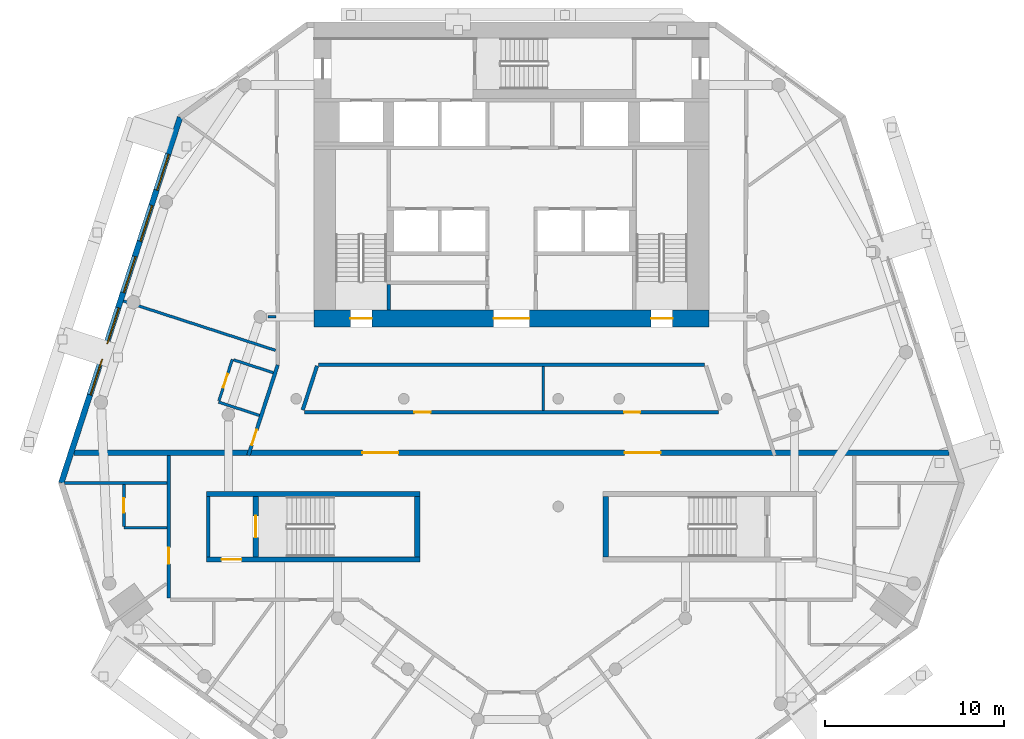
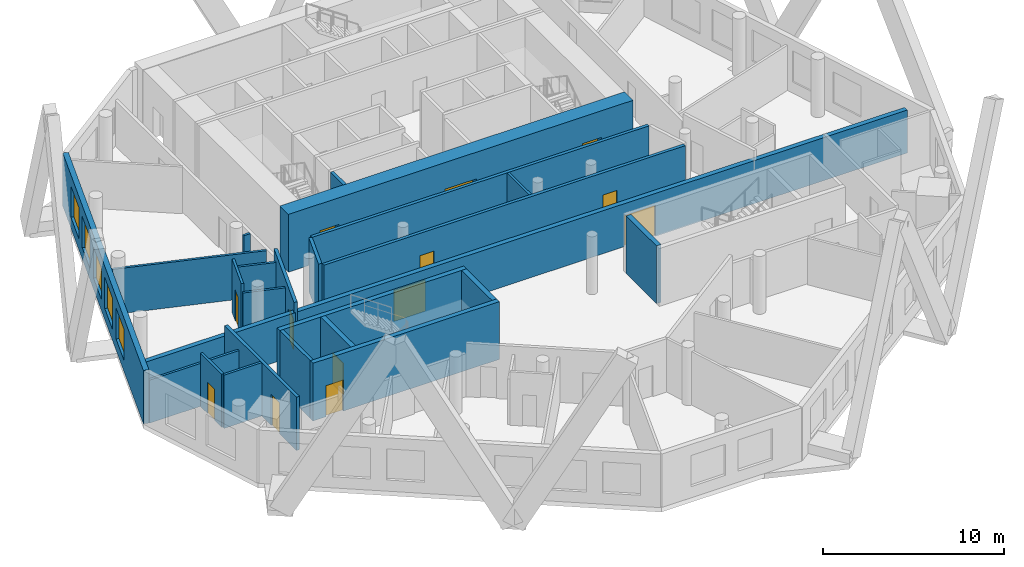
# One storey, part 4 of 10: 24 walls, 13 doors, 5 windows, 18 openings.
"""IFC4 building model written with IfcOpenShell, lengths in metres."""

from ifc_helpers import new_model, si_unit, direction, frame, frame_2d, origin, place, context, subcontext, project, spatial, rectangle, extrude, material, layer, layer_set, type_object, element, fill, save


model = new_model("IFC4")

# Units and contexts
model_context = context("Model", 3, precision=1e-05, world=origin(), true_north=direction((0.0, 1.0)))
body_context = subcontext(model_context, "Body", "Model", "MODEL_VIEW")
ifc_project = project(units=[si_unit("LENGTHUNIT", "METRE"), si_unit("AREAUNIT", "SQUARE_METRE"), si_unit("VOLUMEUNIT", "CUBIC_METRE"), si_unit("PLANEANGLEUNIT", "RADIAN"), si_unit("MASSUNIT", "GRAM", prefix="KILO")], contexts=[model_context])

# Site, building, storey
site_placement = place(None, origin())
site = spatial("IfcSite", under=ifc_project, at=site_placement, CompositionType="ELEMENT")
building_placement = place(site_placement, origin())
building = spatial("IfcBuilding", under=site, at=building_placement, Name="White Candle Pilgrim Tower", CompositionType="ELEMENT")
storey_placement = place(building_placement, frame((0.0, 0.0, 172.0)))
storey = spatial("IfcBuildingStorey", under=building, at=storey_placement, Name="L39", CompositionType="ELEMENT", Elevation=172.0)

# Wall
ifc_material_1 = material(Name="Concrete C60/75", Category="concrete")
ifc_layer_1 = layer(ifc_material_1, 0.199951171875)
ifc_layer_set_1 = layer_set([ifc_layer_1], Name="Core wall 200 mm Concrete C60/75")
wall_type_1 = type_object("IfcWallType", Name="Core wall 200 mm Concrete C60/75", PredefinedType="SHEAR", material=ifc_layer_set_1)
wall_1_placement = place(storey_placement, frame((53.10009765625, 58.199951171875, 0.0), z_axis=(0.0, 0.0, 1.0), x_axis=(0.0, 1.0, 0.0)))
element("IfcWall", 1, at=wall_1_placement, inside=storey, type_object=wall_type_1, Name="WL-L39-C03", PredefinedType="SHEAR", context=body_context, shape_type="SweptSolid", body=[
    extrude(rectangle(XDim=3.35009765625, YDim=0.199951171875, at=frame_2d((1.675048828125, 0.0))), origin(), (0.0, 0.0, 1.0), 3.89990234375),
])

# Wall, opening, door
ifc_material_2 = material(Name="Gypsum board on steel studs", Category="steel")
ifc_layer_2 = layer(ifc_material_2, 0.199951171875)
ifc_layer_set_2 = layer_set([ifc_layer_2], Name="Corridor wall 200 mm EI 45")
wall_type_2 = type_object("IfcWallType", Name="Corridor wall 200 mm EI 45", PredefinedType="PARTITIONING", material=ifc_layer_set_2)
wall_2_placement = place(storey_placement, frame((55.334716796875, 63.85009765625, 0.0), z_axis=(0.0, 0.0, 1.0), x_axis=(0.308996388153, 0.951063211416, 0.0)))
wall_2 = element("IfcWall", 2, at=wall_2_placement, inside=storey, type_object=wall_type_2, Name="WL-L39-P002", PredefinedType="PARTITIONING", context=body_context, shape_type="SweptSolid", body=[
    extrude(rectangle(XDim=5.293701171875, YDim=0.199951171875, at=frame_2d((2.64697265625, 0.0))), origin(), (0.0, 0.0, 1.0), 3.60009765625),
])
opening_1_placement = place(wall_2_placement, frame((0.60009765625, 0.0, 0.0)))
opening_1 = element("IfcOpeningElement", 3, at=opening_1_placement, cuts=wall_2, Name="Opening T12-122", PredefinedType="OPENING", context=body_context, shape_type="SweptSolid", body=[
    extrude(rectangle(XDim=0.89990234375, YDim=2.10009765625, at=frame_2d((0.449951171875, 1.050048828125))), frame((0.0, 0.10986328125, 0.0), z_axis=(0.0, -1.0, 0.0), x_axis=(1.0, 0.0, 0.0)), (0.0, 0.0, 1.0), 0.219970703125),
])
ifc_material_3 = material(Name="Steel door leaf", Category="steel")
door_type_1 = type_object("IfcDoorType", Name="Fire door 900 x 2100 EI 30", OperationType="NOTDEFINED", PredefinedType="DOOR", material=ifc_material_3)
door_1_placement = place(opening_1_placement, origin())
door_1 = element("IfcDoor", 4, at=door_1_placement, inside=storey, type_object=door_type_1, Name="Door T12-122", OperationType="SINGLE_SWING_RIGHT", OverallHeight=2.10009765625, OverallWidth=0.89990234375, PredefinedType="DOOR", context=body_context, shape_type="SweptSolid", body=[
    extrude(rectangle(XDim=0.89990234375, YDim=2.10009765625, at=frame_2d((0.449951171875, 1.050048828125))), frame((0.0, 0.02490234375, 0.0), z_axis=(0.0, -1.0, 0.0), x_axis=(1.0, 0.0, 0.0)), (0.0, 0.0, 1.0), 0.050048828125),
])
fill(opening_1, door_1)

wall_3_placement = place(storey_placement, frame((50.89990234375, 55.89990234375, 0.0), z_axis=(0.0, 0.0, 1.0), x_axis=(0.0, 1.0, 0.0)))
wall_3 = element("IfcWall", 5, at=wall_3_placement, inside=storey, type_object=wall_type_2, Name="WL-L39-P012", PredefinedType="PARTITIONING", context=body_context, shape_type="SweptSolid", body=[
    extrude(rectangle(XDim=7.9501953125, YDim=0.199951171875, at=frame_2d((3.97509765625, 0.0))), origin(), (0.0, 0.0, 1.0), 3.60009765625),
])
opening_2_placement = place(wall_3_placement, frame((1.90478515625, 0.0, 0.0)))
opening_2 = element("IfcOpeningElement", 6, at=opening_2_placement, cuts=wall_3, Name="Opening T12-103", PredefinedType="OPENING", context=body_context, shape_type="SweptSolid", body=[
    extrude(rectangle(XDim=0.89990234375, YDim=2.10009765625, at=frame_2d((0.449951171875, 1.050048828125))), frame((0.0, 0.10986328125, 0.0), z_axis=(0.0, -1.0, 0.0), x_axis=(1.0, 0.0, 0.0)), (0.0, 0.0, 1.0), 0.219970703125),
])
door_2_placement = place(opening_2_placement, origin())
door_2 = element("IfcDoor", 7, at=door_2_placement, inside=storey, type_object=door_type_1, Name="Door T12-103", OperationType="SINGLE_SWING_LEFT", OverallHeight=2.10009765625, OverallWidth=0.89990234375, PredefinedType="DOOR", context=body_context, shape_type="SweptSolid", body=[
    extrude(rectangle(XDim=0.89990234375, YDim=2.10009765625, at=frame_2d((0.449951171875, 1.050048828125))), frame((0.0, 0.02490234375, 0.0), z_axis=(0.0, -1.0, 0.0), x_axis=(1.0, 0.0, 0.0)), (0.0, 0.0, 1.0), 0.050048828125),
])
fill(opening_2, door_2)

# Wall
wall_4_placement = place(storey_placement, frame((59.1611328125, 68.830810546875, 0.0), z_axis=(0.0, 0.0, 1.0), x_axis=(-0.309053927645, -0.951044515155, 0.0)))
element("IfcWall", 8, at=wall_4_placement, inside=storey, type_object=wall_type_2, Name="WL-L39-P013", PredefinedType="PARTITIONING", context=body_context, shape_type="SweptSolid", body=[
    extrude(rectangle(XDim=2.576171875, YDim=0.199951171875, at=frame_2d((1.2880859375, 0.0))), origin(), (0.0, 0.0, 1.0), 3.60009765625),
])

# Wall, openings, doors
wall_5_placement = place(storey_placement, frame((58.460205078125, 66.25, 0.0), z_axis=(0.0, 0.0, 1.0), x_axis=(1.0, 0.0, 0.0)))
wall_5 = element("IfcWall", 9, at=wall_5_placement, inside=storey, type_object=wall_type_2, Name="WL-L39-P014", PredefinedType="PARTITIONING", context=body_context, shape_type="SweptSolid", body=[
    extrude(rectangle(XDim=23.07958984375, YDim=0.199951171875, at=frame_2d((11.539794921875, 0.0))), origin(), (0.0, 0.0, 1.0), 3.60009765625),
])
opening_3_placement = place(wall_5_placement, frame((6.131591796875, 0.0, 0.0)))
opening_3 = element("IfcOpeningElement", 10, at=opening_3_placement, cuts=wall_5, Name="Opening T12-120", PredefinedType="OPENING", context=body_context, shape_type="SweptSolid", body=[
    extrude(rectangle(XDim=0.89990234375, YDim=2.10009765625, at=frame_2d((0.449951171875, 1.050048828125))), frame((0.0, 0.10986328125, 0.0), z_axis=(0.0, -1.0, 0.0), x_axis=(1.0, 0.0, 0.0)), (0.0, 0.0, 1.0), 0.219970703125),
])
opening_4_placement = place(wall_5_placement, frame((17.80908203125, 0.0, 0.0)))
opening_4 = element("IfcOpeningElement", 11, at=opening_4_placement, cuts=wall_5, Name="Opening T12-121", PredefinedType="OPENING", context=body_context, shape_type="SweptSolid", body=[
    extrude(rectangle(XDim=0.89990234375, YDim=2.10009765625, at=frame_2d((0.449951171875, 1.050048828125))), frame((0.0, 0.10986328125, 0.0), z_axis=(0.0, -1.0, 0.0), x_axis=(1.0, 0.0, 0.0)), (0.0, 0.0, 1.0), 0.219970703125),
])
door_3_placement = place(opening_3_placement, origin())
door_3 = element("IfcDoor", 12, at=door_3_placement, inside=storey, type_object=door_type_1, Name="Door T12-120", OperationType="SINGLE_SWING_RIGHT", OverallHeight=2.10009765625, OverallWidth=0.89990234375, PredefinedType="DOOR", context=body_context, shape_type="SweptSolid", body=[
    extrude(rectangle(XDim=0.89990234375, YDim=2.10009765625, at=frame_2d((0.449951171875, 1.050048828125))), frame((0.0, 0.02490234375, 0.0), z_axis=(0.0, -1.0, 0.0), x_axis=(1.0, 0.0, 0.0)), (0.0, 0.0, 1.0), 0.050048828125),
])
fill(opening_3, door_3)
door_4_placement = place(opening_4_placement, origin())
door_4 = element("IfcDoor", 13, at=door_4_placement, inside=storey, type_object=door_type_1, Name="Door T12-121", OperationType="SINGLE_SWING_RIGHT", OverallHeight=2.10009765625, OverallWidth=0.89990234375, PredefinedType="DOOR", context=body_context, shape_type="SweptSolid", body=[
    extrude(rectangle(XDim=0.89990234375, YDim=2.10009765625, at=frame_2d((0.449951171875, 1.050048828125))), frame((0.0, 0.02490234375, 0.0), z_axis=(0.0, -1.0, 0.0), x_axis=(1.0, 0.0, 0.0)), (0.0, 0.0, 1.0), 0.050048828125),
])
fill(opening_4, door_4)

# Wall
wall_6_placement = place(storey_placement, frame((80.743896484375, 68.89990234375, 0.0), z_axis=(0.0, 0.0, 1.0), x_axis=(-1.0, 0.0, 0.0)))
element("IfcWall", 14, at=wall_6_placement, inside=storey, type_object=wall_type_2, Name="WL-L39-P016", PredefinedType="PARTITIONING", context=body_context, shape_type="SweptSolid", body=[
    extrude(rectangle(XDim=21.48779296875, YDim=0.199951171875, at=frame_2d((10.743896484375, 0.0))), origin(), (0.0, 0.0, 1.0), 3.60009765625),
])

# Wall, openings, windows
ifc_material_4 = material(Name="Precast concrete C40/50", Category="concrete")
ifc_layer_3 = layer(ifc_material_4, 0.320068359375)
ifc_layer_set_3 = layer_set([ifc_layer_3], Name="Facade wall EW1 precast concrete C40/50 pier wall with timber-lined reveals")
wall_type_3 = type_object("IfcWallType", Name="Facade wall EW1 precast concrete C40/50 pier wall with timber-lined reveals", PredefinedType="SOLIDWALL", material=ifc_layer_set_3)
wall_7_placement = place(storey_placement, frame((51.531494140625, 82.693603515625, 0.0), z_axis=(0.0, 0.0, 1.0), x_axis=(-0.309016769675, -0.951056589304, 0.0)))
wall_7 = element("IfcWall", 15, at=wall_7_placement, inside=storey, type_object=wall_type_3, Name="Facade wall L39 WNW", PredefinedType="SOLIDWALL", context=body_context, shape_type="SweptSolid", body=[
    extrude(rectangle(XDim=21.427978515625, YDim=0.320068359375, at=frame_2d((10.7138671875, 0.0))), origin(), (0.0, 0.0, 1.0), 3.60009765625),
])
opening_5_placement = place(wall_7_placement, frame((2.163818359375, 0.0, 0.75)))
opening_5 = element("IfcOpeningElement", 16, at=opening_5_placement, cuts=wall_7, Name="Opening W3", PredefinedType="OPENING", context=body_context, shape_type="SweptSolid", body=[
    extrude(rectangle(XDim=2.10009765625, YDim=2.10009765625, at=frame_2d((1.050048828125, 1.050048828125))), frame((0.0, 0.169921875, 0.0), z_axis=(0.0, -1.0, 0.0), x_axis=(1.0, 0.0, 0.0)), (0.0, 0.0, 1.0), 0.340087890625),
])
opening_6_placement = place(wall_7_placement, frame((5.163818359375, 0.0, 0.75)))
opening_6 = element("IfcOpeningElement", 17, at=opening_6_placement, cuts=wall_7, Name="Opening W3", PredefinedType="OPENING", context=body_context, shape_type="SweptSolid", body=[
    extrude(rectangle(XDim=2.10009765625, YDim=2.10009765625, at=frame_2d((1.050048828125, 1.050048828125))), frame((0.0, 0.169921875, 0.0), z_axis=(0.0, -1.0, 0.0), x_axis=(1.0, 0.0, 0.0)), (0.0, 0.0, 1.0), 0.340087890625),
])
opening_7_placement = place(wall_7_placement, frame((8.163818359375, 0.0, 0.75)))
opening_7 = element("IfcOpeningElement", 18, at=opening_7_placement, cuts=wall_7, Name="Opening W3", PredefinedType="OPENING", context=body_context, shape_type="SweptSolid", body=[
    extrude(rectangle(XDim=2.10009765625, YDim=2.10009765625, at=frame_2d((1.050048828125, 1.050048828125))), frame((0.0, 0.169921875, 0.0), z_axis=(0.0, -1.0, 0.0), x_axis=(1.0, 0.0, 0.0)), (0.0, 0.0, 1.0), 0.340087890625),
])
opening_8_placement = place(wall_7_placement, frame((11.163818359375, 0.0, 0.75)))
opening_8 = element("IfcOpeningElement", 19, at=opening_8_placement, cuts=wall_7, Name="Opening W3", PredefinedType="OPENING", context=body_context, shape_type="SweptSolid", body=[
    extrude(rectangle(XDim=2.10009765625, YDim=2.10009765625, at=frame_2d((1.050048828125, 1.050048828125))), frame((0.0, 0.169921875, 0.0), z_axis=(0.0, -1.0, 0.0), x_axis=(1.0, 0.0, 0.0)), (0.0, 0.0, 1.0), 0.340087890625),
])
opening_9_placement = place(wall_7_placement, frame((14.163818359375, 0.0, 0.75)))
opening_9 = element("IfcOpeningElement", 20, at=opening_9_placement, cuts=wall_7, Name="Opening W3", PredefinedType="OPENING", context=body_context, shape_type="SweptSolid", body=[
    extrude(rectangle(XDim=2.10009765625, YDim=2.10009765625, at=frame_2d((1.050048828125, 1.050048828125))), frame((0.0, 0.169921875, 0.0), z_axis=(0.0, -1.0, 0.0), x_axis=(1.0, 0.0, 0.0)), (0.0, 0.0, 1.0), 0.340087890625),
])
ifc_material_5 = material(Name="Timber frame with triple glazing", Category="wood")
window_type = type_object("IfcWindowType", Name="Window W3 2100x2100 timber frame triple glazing", PartitioningType="SINGLE_PANEL", PredefinedType="WINDOW", material=ifc_material_5)
window_1_placement = place(opening_5_placement, origin())
window_1 = element("IfcWindow", 21, at=window_1_placement, inside=storey, type_object=window_type, Name="Window W3 L39 WNW 1", OverallHeight=2.10009765625, OverallWidth=2.10009765625, PartitioningType="SINGLE_PANEL", PredefinedType="WINDOW", context=body_context, shape_type="SweptSolid", body=[
    extrude(rectangle(XDim=2.10009765625, YDim=2.10009765625, at=frame_2d((1.050048828125, 1.050048828125))), frame((0.0, 0.070068359375, 0.0), z_axis=(0.0, -1.0, 0.0), x_axis=(1.0, 0.0, 0.0)), (0.0, 0.0, 1.0), 0.06005859375),
])
fill(opening_5, window_1)
window_2_placement = place(opening_6_placement, origin())
window_2 = element("IfcWindow", 22, at=window_2_placement, inside=storey, type_object=window_type, Name="Window W3 L39 WNW 2", OverallHeight=2.10009765625, OverallWidth=2.10009765625, PartitioningType="SINGLE_PANEL", PredefinedType="WINDOW", context=body_context, shape_type="SweptSolid", body=[
    extrude(rectangle(XDim=2.10009765625, YDim=2.10009765625, at=frame_2d((1.050048828125, 1.050048828125))), frame((0.0, 0.070068359375, 0.0), z_axis=(0.0, -1.0, 0.0), x_axis=(1.0, 0.0, 0.0)), (0.0, 0.0, 1.0), 0.06005859375),
])
fill(opening_6, window_2)
window_3_placement = place(opening_7_placement, origin())
window_3 = element("IfcWindow", 23, at=window_3_placement, inside=storey, type_object=window_type, Name="Window W3 L39 WNW 3", OverallHeight=2.10009765625, OverallWidth=2.10009765625, PartitioningType="SINGLE_PANEL", PredefinedType="WINDOW", context=body_context, shape_type="SweptSolid", body=[
    extrude(rectangle(XDim=2.10009765625, YDim=2.10009765625, at=frame_2d((1.050048828125, 1.050048828125))), frame((0.0, 0.070068359375, 0.0), z_axis=(0.0, -1.0, 0.0), x_axis=(1.0, 0.0, 0.0)), (0.0, 0.0, 1.0), 0.06005859375),
])
fill(opening_7, window_3)
window_4_placement = place(opening_8_placement, origin())
window_4 = element("IfcWindow", 24, at=window_4_placement, inside=storey, type_object=window_type, Name="Window W3 L39 WNW 4", OverallHeight=2.10009765625, OverallWidth=2.10009765625, PartitioningType="SINGLE_PANEL", PredefinedType="WINDOW", context=body_context, shape_type="SweptSolid", body=[
    extrude(rectangle(XDim=2.10009765625, YDim=2.10009765625, at=frame_2d((1.050048828125, 1.050048828125))), frame((0.0, 0.070068359375, 0.0), z_axis=(0.0, -1.0, 0.0), x_axis=(1.0, 0.0, 0.0)), (0.0, 0.0, 1.0), 0.06005859375),
])
fill(opening_8, window_4)
window_5_placement = place(opening_9_placement, origin())
window_5 = element("IfcWindow", 25, at=window_5_placement, inside=storey, type_object=window_type, Name="Window W3 L39 WNW 5", OverallHeight=2.10009765625, OverallWidth=2.10009765625, PartitioningType="SINGLE_PANEL", PredefinedType="WINDOW", context=body_context, shape_type="SweptSolid", body=[
    extrude(rectangle(XDim=2.10009765625, YDim=2.10009765625, at=frame_2d((1.050048828125, 1.050048828125))), frame((0.0, 0.070068359375, 0.0), z_axis=(0.0, -1.0, 0.0), x_axis=(1.0, 0.0, 0.0)), (0.0, 0.0, 1.0), 0.06005859375),
])
fill(opening_9, window_5)

# Wall, openings, doors
ifc_material_6 = material(Name="Aerated concrete block", Category="concrete")
ifc_layer_4 = layer(ifc_material_6, 0.300048828125)
ifc_layer_set_4 = layer_set([ifc_layer_4], Name="Fire wall 300 mm REI 240")
wall_type_4 = type_object("IfcWallType", Name="Fire wall 300 mm REI 240", PredefinedType="PARTITIONING", material=ifc_layer_set_4)
wall_8_placement = place(storey_placement, frame((45.625732421875, 64.0, 0.0), z_axis=(0.0, 0.0, 1.0), x_axis=(1.0, 0.0, 0.0)))
wall_8 = element("IfcWall", 26, at=wall_8_placement, inside=storey, type_object=wall_type_4, Name="WL-L39-P001", PredefinedType="PARTITIONING", context=body_context, shape_type="SweptSolid", body=[
    extrude(rectangle(XDim=48.74853515625, YDim=0.300048828125, at=frame_2d((24.374267578125, 0.0))), origin(), (0.0, 0.0, 1.0), 2.89990234375),
])
opening_10_placement = place(wall_8_placement, frame((16.06591796875, 0.0, 0.0)))
opening_10 = element("IfcOpeningElement", 27, at=opening_10_placement, cuts=wall_8, Name="Opening T12-118", PredefinedType="OPENING", context=body_context, shape_type="SweptSolid", body=[
    extrude(rectangle(XDim=2.0, YDim=2.10009765625, at=frame_2d((1.0, 1.050048828125))), frame((0.0, 0.159912109375, 0.0), z_axis=(0.0, -1.0, 0.0), x_axis=(1.0, 0.0, 0.0)), (0.0, 0.0, 1.0), 0.320068359375),
])
opening_11_placement = place(wall_8_placement, frame((30.6826171875, 0.0, 0.0)))
opening_11 = element("IfcOpeningElement", 28, at=opening_11_placement, cuts=wall_8, Name="Opening T12-119", PredefinedType="OPENING", context=body_context, shape_type="SweptSolid", body=[
    extrude(rectangle(XDim=2.0, YDim=2.10009765625, at=frame_2d((1.0, 1.050048828125))), frame((0.0, 0.159912109375, 0.0), z_axis=(0.0, -1.0, 0.0), x_axis=(1.0, 0.0, 0.0)), (0.0, 0.0, 1.0), 0.320068359375),
])
door_type_2 = type_object("IfcDoorType", Name="Fire door 2000 x 2100 EI 60", OperationType="NOTDEFINED", PredefinedType="DOOR", material=ifc_material_3)
door_5_placement = place(opening_10_placement, origin())
door_5 = element("IfcDoor", 29, at=door_5_placement, inside=storey, type_object=door_type_2, Name="Door T12-118", OperationType="DOUBLE_DOOR_SINGLE_SWING", OverallHeight=2.10009765625, OverallWidth=2.0, PredefinedType="DOOR", context=body_context, shape_type="SweptSolid", body=[
    extrude(rectangle(XDim=2.0, YDim=2.10009765625, at=frame_2d((1.0, 1.050048828125))), frame((0.0, 0.02490234375, 0.0), z_axis=(0.0, -1.0, 0.0), x_axis=(1.0, 0.0, 0.0)), (0.0, 0.0, 1.0), 0.050048828125),
])
fill(opening_10, door_5)
door_6_placement = place(opening_11_placement, origin())
door_6 = element("IfcDoor", 30, at=door_6_placement, inside=storey, type_object=door_type_2, Name="Door T12-119", OperationType="DOUBLE_DOOR_SINGLE_SWING", OverallHeight=2.10009765625, OverallWidth=2.0, PredefinedType="DOOR", context=body_context, shape_type="SweptSolid", body=[
    extrude(rectangle(XDim=2.0, YDim=2.10009765625, at=frame_2d((1.0, 1.050048828125))), frame((0.0, 0.02490234375, 0.0), z_axis=(0.0, -1.0, 0.0), x_axis=(1.0, 0.0, 0.0)), (0.0, 0.0, 1.0), 0.050048828125),
])
fill(opening_11, door_6)

# Walls
ifc_layer_5 = layer(ifc_material_2, 0.14990234375)
ifc_layer_set_5 = layer_set([ifc_layer_5], Name="Partition 150 mm EI 60")
wall_type_5 = type_object("IfcWallType", Name="Partition 150 mm EI 60", PredefinedType="PARTITIONING", material=ifc_layer_set_5)
wall_9_placement = place(storey_placement, frame((45.078125, 62.314453125, 0.0), z_axis=(0.0, 0.0, 1.0), x_axis=(1.0, 0.0, 0.0)))
element("IfcWall", 31, at=wall_9_placement, inside=storey, type_object=wall_type_5, Name="WL-L39-P018", PredefinedType="PARTITIONING", context=body_context, shape_type="SweptSolid", body=[
    extrude(rectangle(XDim=5.721923828125, YDim=0.14990234375, at=frame_2d((2.86083984375, 0.0))), origin(), (0.0, 0.0, 1.0), 2.89990234375),
])
wall_10_placement = place(storey_placement, frame((48.372802734375, 72.45458984375, 0.0), z_axis=(0.0, 0.0, 1.0), x_axis=(0.951055809184, -0.30901917063, 0.0)))
element("IfcWall", 32, at=wall_10_placement, inside=storey, type_object=wall_type_5, Name="WL-L39-P025", PredefinedType="PARTITIONING", context=body_context, shape_type="SweptSolid", body=[
    extrude(rectangle(XDim=8.911865234375, YDim=0.14990234375, at=frame_2d((4.4560546875, 0.0))), origin(), (0.0, 0.0, 1.0), 3.050048828125),
])
wall_11_placement = place(storey_placement, frame((55.953369140625, 66.07763671875, 0.0), z_axis=(0.0, 0.0, 1.0), x_axis=(-0.951046776628, 0.309046968381, 0.0)))
element("IfcWall", 33, at=wall_11_placement, inside=storey, type_object=wall_type_5, Name="WL-L39-P026", PredefinedType="PARTITIONING", context=body_context, shape_type="SweptSolid", body=[
    extrude(rectangle(XDim=2.39990234375, YDim=0.14990234375, at=frame_2d((1.199951171875, 0.0))), origin(), (0.0, 0.0, 1.0), 3.050048828125),
])

# Wall, opening, door
wall_12_placement = place(storey_placement, frame((54.443359375, 69.197021484375, 0.0), z_axis=(0.0, 0.0, 1.0), x_axis=(-0.308969972841, -0.951071793233, 0.0)))
wall_12 = element("IfcWall", 34, at=wall_12_placement, inside=storey, type_object=wall_type_5, Name="WL-L39-P027", PredefinedType="PARTITIONING", context=body_context, shape_type="SweptSolid", body=[
    extrude(rectangle(XDim=2.425048828125, YDim=0.14990234375, at=frame_2d((1.21240234375, 0.0))), origin(), (0.0, 0.0, 1.0), 3.60009765625),
])
opening_12_placement = place(wall_12_placement, frame((0.85009765625, 0.0, 0.0)))
opening_12 = element("IfcOpeningElement", 35, at=opening_12_placement, cuts=wall_12, Name="Opening T12-101", PredefinedType="OPENING", context=body_context, shape_type="SweptSolid", body=[
    extrude(rectangle(XDim=0.800048828125, YDim=2.10009765625, at=frame_2d((0.39990234375, 1.050048828125))), frame((0.0, 0.0849609375, 0.0), z_axis=(0.0, -1.0, 0.0), x_axis=(1.0, 0.0, 0.0)), (0.0, 0.0, 1.0), 0.169921875),
])
door_type_3 = type_object("IfcDoorType", Name="Fire door 800 x 2100 EI 30", OperationType="NOTDEFINED", PredefinedType="DOOR", material=ifc_material_3)
door_7_placement = place(opening_12_placement, frame((0.800048828125, 0.0, 0.0), z_axis=(0.0, 0.0, 1.0), x_axis=(-1.0, 0.0, 0.0)))
door_7 = element("IfcDoor", 36, at=door_7_placement, inside=storey, type_object=door_type_3, Name="Door T12-101", OperationType="SINGLE_SWING_RIGHT", OverallHeight=2.10009765625, OverallWidth=0.800048828125, PredefinedType="DOOR", context=body_context, shape_type="SweptSolid", body=[
    extrude(rectangle(XDim=0.800048828125, YDim=2.10009765625, at=frame_2d((0.39990234375, 1.050048828125))), frame((0.0, 0.02490234375, 0.0), z_axis=(0.0, -1.0, 0.0), x_axis=(1.0, 0.0, 0.0)), (0.0, 0.0, 1.0), 0.050048828125),
])
fill(opening_12, door_7)

# Walls
wall_13_placement = place(storey_placement, frame((56.725830078125, 68.455322265625, 0.0), z_axis=(0.0, 0.0, 1.0), x_axis=(-0.951050272606, 0.309036209813, 0.0)))
element("IfcWall", 37, at=wall_13_placement, inside=storey, type_object=wall_type_5, Name="WL-L39-P028", PredefinedType="PARTITIONING", context=body_context, shape_type="SweptSolid", body=[
    extrude(rectangle(XDim=2.324951171875, YDim=0.14990234375, at=frame_2d((1.16259765625, 0.0))), origin(), (0.0, 0.0, 1.0), 3.050048828125),
])
wall_14_placement = place(storey_placement, frame((50.800048828125, 59.814453125, 0.0), z_axis=(0.0, 0.0, 1.0), x_axis=(-1.0, 0.0, 0.0)))
element("IfcWall", 38, at=wall_14_placement, inside=storey, type_object=wall_type_5, Name="WL-L39-P029", PredefinedType="PARTITIONING", context=body_context, shape_type="SweptSolid", body=[
    extrude(rectangle(XDim=2.400146484375, YDim=0.14990234375, at=frame_2d((1.2001953125, 0.0))), origin(), (0.0, 0.0, 1.0), 3.60009765625),
])

# Wall, opening, door
wall_15_placement = place(storey_placement, frame((48.39990234375, 62.239501953125, 0.0), z_axis=(0.0, 0.0, 1.0), x_axis=(0.0, -1.0, 0.0)))
wall_15 = element("IfcWall", 39, at=wall_15_placement, inside=storey, type_object=wall_type_5, Name="WL-L39-P030", PredefinedType="PARTITIONING", context=body_context, shape_type="SweptSolid", body=[
    extrude(rectangle(XDim=2.35009765625, YDim=0.14990234375, at=frame_2d((1.175048828125, 0.0))), origin(), (0.0, 0.0, 1.0), 3.60009765625),
])
opening_13_placement = place(wall_15_placement, frame((0.77490234375, 0.0, 0.0)))
opening_13 = element("IfcOpeningElement", 40, at=opening_13_placement, cuts=wall_15, Name="Opening T12-102", PredefinedType="OPENING", context=body_context, shape_type="SweptSolid", body=[
    extrude(rectangle(XDim=0.800048828125, YDim=2.10009765625, at=frame_2d((0.39990234375, 1.050048828125))), frame((0.0, 0.0849609375, 0.0), z_axis=(0.0, -1.0, 0.0), x_axis=(1.0, 0.0, 0.0)), (0.0, 0.0, 1.0), 0.169921875),
])
door_8_placement = place(opening_13_placement, frame((0.800048828125, 0.0, 0.0), z_axis=(0.0, 0.0, 1.0), x_axis=(-1.0, 0.0, 0.0)))
door_8 = element("IfcDoor", 41, at=door_8_placement, inside=storey, type_object=door_type_3, Name="Door T12-102", OperationType="SINGLE_SWING_LEFT", OverallHeight=2.10009765625, OverallWidth=0.800048828125, PredefinedType="DOOR", context=body_context, shape_type="SweptSolid", body=[
    extrude(rectangle(XDim=0.800048828125, YDim=2.10009765625, at=frame_2d((0.39990234375, 1.050048828125))), frame((0.0, 0.02490234375, 0.0), z_axis=(0.0, -1.0, 0.0), x_axis=(1.0, 0.0, 0.0)), (0.0, 0.0, 1.0), 0.050048828125),
])
fill(opening_13, door_8)

# Walls
wall_16_placement = place(storey_placement, frame((71.7607421875, 66.35009765625, 0.0), z_axis=(0.0, 0.0, 1.0), x_axis=(0.0, 1.0, 0.0)))
element("IfcWall", 42, at=wall_16_placement, inside=storey, type_object=wall_type_5, Name="WL-L39-P048", PredefinedType="PARTITIONING", context=body_context, shape_type="SweptSolid", body=[
    extrude(rectangle(XDim=2.449951171875, YDim=0.14990234375, at=frame_2d((1.22509765625, 0.0))), origin(), (0.0, 0.0, 1.0), 3.60009765625),
])
wall_17_placement = place(storey_placement, frame((56.43994140625, 71.572509765625, 0.0), z_axis=(0.0, 0.0, 1.0), x_axis=(0.999991879904, 0.004029903949, 0.0)))
element("IfcWall", 43, at=wall_17_placement, inside=storey, type_object=wall_type_5, Name="WL-L39-P054", PredefinedType="PARTITIONING", context=body_context, shape_type="SweptSolid", body=[
    extrude(rectangle(XDim=0.424072265625, YDim=0.14990234375, at=frame_2d((0.2119140625, 0.0))), origin(), (0.0, 0.0, 1.0), 3.050048828125),
])
ifc_layer_6 = layer(ifc_material_1, 0.199951171875)
ifc_layer_set_6 = layer_set([ifc_layer_6], Name="Stair shaft wall 200 mm Concrete C60/75")
wall_type_6 = type_object("IfcWallType", Name="Stair shaft wall 200 mm Concrete C60/75", PredefinedType="SHEAR", material=ifc_layer_set_6)
wall_18_placement = place(storey_placement, frame((63.14990234375, 71.949951171875, 0.0), z_axis=(0.0, 0.0, 1.0), x_axis=(0.0, 1.0, 0.0)))
element("IfcWall", 44, at=wall_18_placement, inside=storey, type_object=wall_type_6, Name="WL-L39-C13", PredefinedType="SHEAR", context=body_context, shape_type="SweptSolid", body=[
    extrude(rectangle(XDim=1.425048828125, YDim=0.199951171875, at=frame_2d((0.71240234375, 0.0))), origin(), (0.0, 0.0, 1.0), 3.89990234375),
])

# Wall, opening, door
ifc_layer_7 = layer(ifc_material_1, 0.300048828125)
ifc_layer_set_7 = layer_set([ifc_layer_7], Name="Stair shaft wall 300 mm Concrete C60/75")
wall_type_7 = type_object("IfcWallType", Name="Stair shaft wall 300 mm Concrete C60/75", PredefinedType="SHEAR", material=ifc_layer_set_7)
wall_19_placement = place(storey_placement, frame((53.0, 58.050048828125, 0.0), z_axis=(0.0, 0.0, 1.0), x_axis=(1.0, 0.0, 0.0)))
wall_19 = element("IfcWall", 45, at=wall_19_placement, inside=storey, type_object=wall_type_7, Name="WL-L39-C01", PredefinedType="SHEAR", context=body_context, shape_type="SweptSolid", body=[
    extrude(rectangle(XDim=11.89990234375, YDim=0.300048828125, at=frame_2d((5.949951171875, 0.0))), origin(), (0.0, 0.0, 1.0), 3.89990234375),
])
opening_14_placement = place(wall_19_placement, frame((0.85009765625, 0.0, 0.0)))
opening_14 = element("IfcOpeningElement", 46, at=opening_14_placement, cuts=wall_19, Name="Opening T12-010", PredefinedType="OPENING", context=body_context, shape_type="SweptSolid", body=[
    extrude(rectangle(XDim=1.10009765625, YDim=2.10009765625, at=frame_2d((0.550048828125, 1.050048828125))), frame((0.0, 0.159912109375, 0.0), z_axis=(0.0, -1.0, 0.0), x_axis=(1.0, 0.0, 0.0)), (0.0, 0.0, 1.0), 0.320068359375),
])
door_type_4 = type_object("IfcDoorType", Name="Fire door 1100 x 2100 EI 60", OperationType="NOTDEFINED", PredefinedType="DOOR", material=ifc_material_3)
door_9_placement = place(opening_14_placement, origin())
door_9 = element("IfcDoor", 47, at=door_9_placement, inside=storey, type_object=door_type_4, Name="Door T12-010", OperationType="SINGLE_SWING_RIGHT", OverallHeight=2.10009765625, OverallWidth=1.10009765625, PredefinedType="DOOR", context=body_context, shape_type="SweptSolid", body=[
    extrude(rectangle(XDim=1.10009765625, YDim=2.10009765625, at=frame_2d((0.550048828125, 1.050048828125))), frame((0.0, 0.02490234375, 0.0), z_axis=(0.0, -1.0, 0.0), x_axis=(1.0, 0.0, 0.0)), (0.0, 0.0, 1.0), 0.050048828125),
])
fill(opening_14, door_9)

wall_20_placement = place(storey_placement, frame((55.75, 58.199951171875, 0.0), z_axis=(0.0, 0.0, 1.0), x_axis=(0.0, 1.0, 0.0)))
wall_20 = element("IfcWall", 48, at=wall_20_placement, inside=storey, type_object=wall_type_7, Name="WL-L39-C04", PredefinedType="SHEAR", context=body_context, shape_type="SweptSolid", body=[
    extrude(rectangle(XDim=3.35009765625, YDim=0.300048828125, at=frame_2d((1.675048828125, 0.0))), origin(), (0.0, 0.0, 1.0), 3.89990234375),
])
opening_15_placement = place(wall_20_placement, frame((1.074951171875, 0.0, 0.0)))
opening_15 = element("IfcOpeningElement", 49, at=opening_15_placement, cuts=wall_20, Name="Opening T12-011", PredefinedType="OPENING", context=body_context, shape_type="SweptSolid", body=[
    extrude(rectangle(XDim=1.199951171875, YDim=2.10009765625, at=frame_2d((0.60009765625, 1.050048828125))), frame((0.0, 0.159912109375, 0.0), z_axis=(0.0, -1.0, 0.0), x_axis=(1.0, 0.0, 0.0)), (0.0, 0.0, 1.0), 0.320068359375),
])
door_type_5 = type_object("IfcDoorType", Name="Fire door 1200 x 2100 EI 60", OperationType="NOTDEFINED", PredefinedType="DOOR", material=ifc_material_3)
door_10_placement = place(opening_15_placement, frame((1.199951171875, 0.0, 0.0), z_axis=(0.0, 0.0, 1.0), x_axis=(-1.0, 0.0, 0.0)))
door_10 = element("IfcDoor", 50, at=door_10_placement, inside=storey, type_object=door_type_5, Name="Door T12-011", OperationType="SINGLE_SWING_RIGHT", OverallHeight=2.10009765625, OverallWidth=1.199951171875, PredefinedType="DOOR", context=body_context, shape_type="SweptSolid", body=[
    extrude(rectangle(XDim=1.199951171875, YDim=2.10009765625, at=frame_2d((0.60009765625, 1.050048828125))), frame((0.0, 0.02490234375, 0.0), z_axis=(0.0, -1.0, 0.0), x_axis=(1.0, 0.0, 0.0)), (0.0, 0.0, 1.0), 0.050048828125),
])
fill(opening_15, door_10)

# Walls
for number, where, z_axis, x_axis, name in (
    (51, (64.75, 58.199951171875, 0.0), (0.0, 0.0, 1.0), (0.0, 1.0, 0.0), "WL-L39-C05"),
    (52, (75.25, 58.199951171875, 0.0), (0.0, 0.0, 1.0), (0.0, 1.0, 0.0), "WL-L39-C06"),
):
    element("IfcWall", number, at=place(storey_placement, frame(where, z_axis=z_axis, x_axis=x_axis)), inside=storey, type_object=wall_type_7, Name=name, PredefinedType="SHEAR", context=body_context, shape_type="SweptSolid", body=[
        extrude(rectangle(XDim=3.35009765625, YDim=0.300048828125, at=frame_2d((1.675048828125, 0.0))), origin(), (0.0, 0.0, 1.0), 3.89990234375),
    ])
wall_21_placement = place(storey_placement, frame((53.0, 61.699951171875, 0.0), z_axis=(0.0, 0.0, 1.0), x_axis=(1.0, 0.0, 0.0)))
element("IfcWall", 53, at=wall_21_placement, inside=storey, type_object=wall_type_7, Name="WL-L39-C09", PredefinedType="SHEAR", context=body_context, shape_type="SweptSolid", body=[
    extrude(rectangle(XDim=11.89990234375, YDim=0.300048828125, at=frame_2d((5.949951171875, 0.0))), origin(), (0.0, 0.0, 1.0), 3.89990234375),
])

# Wall, openings, doors
ifc_layer_8 = layer(ifc_material_1, 0.949951171875)
ifc_layer_set_8 = layer_set([ifc_layer_8], Name="Stair shaft wall 950 mm Concrete C60/75")
wall_type_8 = type_object("IfcWallType", Name="Stair shaft wall 950 mm Concrete C60/75", PredefinedType="SHEAR", material=ifc_layer_set_8)
wall_22_placement = place(storey_placement, frame((59.0, 71.47509765625, 0.0), z_axis=(0.0, 0.0, 1.0), x_axis=(1.0, 0.0, 0.0)))
wall_22 = element("IfcWall", 54, at=wall_22_placement, inside=storey, type_object=wall_type_8, Name="WL-L39-C11", PredefinedType="SHEAR", context=body_context, shape_type="SweptSolid", body=[
    extrude(rectangle(XDim=22.0, YDim=0.949951171875, at=frame_2d((11.0, 0.0))), origin(), (0.0, 0.0, 1.0), 3.89990234375),
])
opening_16_placement = place(wall_22_placement, frame((2.02490234375, 0.0, 0.0)))
opening_16 = element("IfcOpeningElement", 55, at=opening_16_placement, cuts=wall_22, Name="Opening T12-001", PredefinedType="OPENING", context=body_context, shape_type="SweptSolid", body=[
    extrude(rectangle(XDim=1.199951171875, YDim=2.10009765625, at=frame_2d((0.60009765625, 1.050048828125))), frame((0.0, 0.48486328125, 0.0), z_axis=(0.0, -1.0, 0.0), x_axis=(1.0, 0.0, 0.0)), (0.0, 0.0, 1.0), 0.969970703125),
])
opening_17_placement = place(wall_22_placement, frame((18.77490234375, 0.0, 0.0)))
opening_17 = element("IfcOpeningElement", 56, at=opening_17_placement, cuts=wall_22, Name="Opening T12-002", PredefinedType="OPENING", context=body_context, shape_type="SweptSolid", body=[
    extrude(rectangle(XDim=1.199951171875, YDim=2.10009765625, at=frame_2d((0.60009765625, 1.050048828125))), frame((0.0, 0.48486328125, 0.0), z_axis=(0.0, -1.0, 0.0), x_axis=(1.0, 0.0, 0.0)), (0.0, 0.0, 1.0), 0.969970703125),
])
opening_18_placement = place(wall_22_placement, frame((10.0, 0.0, 0.0)))
opening_18 = element("IfcOpeningElement", 57, at=opening_18_placement, cuts=wall_22, Name="Opening T12-004", PredefinedType="OPENING", context=body_context, shape_type="SweptSolid", body=[
    extrude(rectangle(XDim=2.0, YDim=2.10009765625, at=frame_2d((1.0, 1.050048828125))), frame((0.0, 0.48486328125, 0.0), z_axis=(0.0, -1.0, 0.0), x_axis=(1.0, 0.0, 0.0)), (0.0, 0.0, 1.0), 0.969970703125),
])
door_11_placement = place(opening_16_placement, frame((1.199951171875, 0.0, 0.0), z_axis=(0.0, 0.0, 1.0), x_axis=(-1.0, 0.0, 0.0)))
door_11 = element("IfcDoor", 58, at=door_11_placement, inside=storey, type_object=door_type_5, Name="Door T12-001", OperationType="SINGLE_SWING_RIGHT", OverallHeight=2.10009765625, OverallWidth=1.199951171875, PredefinedType="DOOR", context=body_context, shape_type="SweptSolid", body=[
    extrude(rectangle(XDim=1.199951171875, YDim=2.10009765625, at=frame_2d((0.60009765625, 1.050048828125))), frame((0.0, 0.02490234375, 0.0), z_axis=(0.0, -1.0, 0.0), x_axis=(1.0, 0.0, 0.0)), (0.0, 0.0, 1.0), 0.050048828125),
])
fill(opening_16, door_11)
door_12_placement = place(opening_17_placement, frame((1.199951171875, 0.0, 0.0), z_axis=(0.0, 0.0, 1.0), x_axis=(-1.0, 0.0, 0.0)))
door_12 = element("IfcDoor", 59, at=door_12_placement, inside=storey, type_object=door_type_5, Name="Door T12-002", OperationType="SINGLE_SWING_LEFT", OverallHeight=2.10009765625, OverallWidth=1.199951171875, PredefinedType="DOOR", context=body_context, shape_type="SweptSolid", body=[
    extrude(rectangle(XDim=1.199951171875, YDim=2.10009765625, at=frame_2d((0.60009765625, 1.050048828125))), frame((0.0, 0.02490234375, 0.0), z_axis=(0.0, -1.0, 0.0), x_axis=(1.0, 0.0, 0.0)), (0.0, 0.0, 1.0), 0.050048828125),
])
fill(opening_17, door_12)
door_13_placement = place(opening_18_placement, frame((2.0, 0.0, 0.0), z_axis=(0.0, 0.0, 1.0), x_axis=(-1.0, 0.0, 0.0)))
door_13 = element("IfcDoor", 60, at=door_13_placement, inside=storey, type_object=door_type_2, Name="Door T12-004", OperationType="DOUBLE_DOOR_SINGLE_SWING", OverallHeight=2.10009765625, OverallWidth=2.0, PredefinedType="DOOR", context=body_context, shape_type="SweptSolid", body=[
    extrude(rectangle(XDim=2.0, YDim=2.10009765625, at=frame_2d((1.0, 1.050048828125))), frame((0.0, 0.02490234375, 0.0), z_axis=(0.0, -1.0, 0.0), x_axis=(1.0, 0.0, 0.0)), (0.0, 0.0, 1.0), 0.050048828125),
])
fill(opening_18, door_13)

save(model, "model.ifc")
